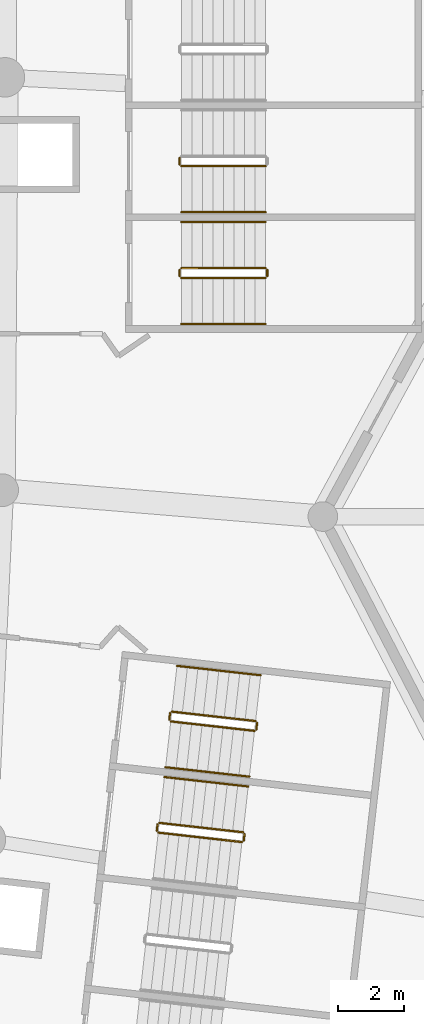
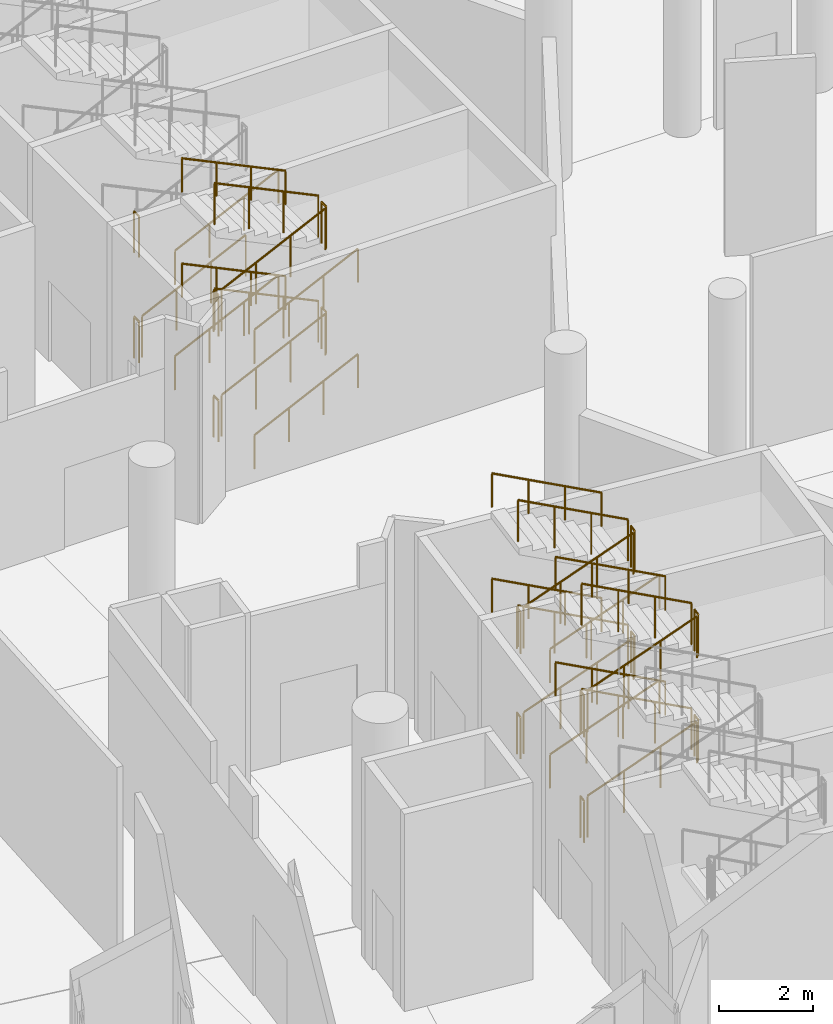
# One storey, part 245 of 271: 39 railings.
"""IFC4 building model written with IfcOpenShell, lengths in metres."""

from ifc_helpers import new_model, si_unit, direction, frame, origin, origin_2d, place, context, subcontext, project, spatial, circle, extrude, material, type_object, element, save


model = new_model("IFC4")

# Units and contexts
model_context = context("Model", 3, precision=1e-05, world=origin(), true_north=direction((0.0, 1.0)))
body_context = subcontext(model_context, "Body", "Model", "MODEL_VIEW")
ifc_project = project(units=[si_unit("LENGTHUNIT", "METRE"), si_unit("AREAUNIT", "SQUARE_METRE"), si_unit("VOLUMEUNIT", "CUBIC_METRE"), si_unit("PLANEANGLEUNIT", "RADIAN"), si_unit("MASSUNIT", "GRAM", prefix="KILO")], contexts=[model_context])

# Site, building, storey
site_placement = place(None, origin())
site = spatial("IfcSite", under=ifc_project, at=site_placement, CompositionType="ELEMENT")
building_placement = place(site_placement, origin())
building = spatial("IfcBuilding", under=site, at=building_placement, Name="Meseta Stadium", CompositionType="ELEMENT")
storey_placement = place(building_placement, frame((0.0, 0.0, 6.5)))
storey = spatial("IfcBuildingStorey", under=building, at=storey_placement, Name="L01", CompositionType="ELEMENT", Elevation=6.5)

# Railings
ifc_material_1 = material(Name="Steel S355", Category="steel")
railing_type_1 = type_object("IfcRailingType", Name="Stair guard 1100", PredefinedType="GUARDRAIL", material=ifc_material_1)
railing_1_placement = place(storey_placement, frame((89.598876953125, -53.3525390625, 0.15283203125)))
element("IfcRailing", 1, at=railing_1_placement, inside=storey, type_object=railing_type_1, Name="ST3 L01 guard 1", PredefinedType="GUARDRAIL", context=body_context, shape_type="SweptSolid", body=[
    extrude(circle(Radius=0.02392578125, at=origin_2d()), frame((0.0, 0.0, 1.076171875), z_axis=(0.896745093794, -0.101044125167, 0.43085765808), x_axis=(0.111970187058, 0.993711566407, 0.0)), (0.0, 0.0, 1.0), 2.836669921875),
    extrude(circle(Radius=0.02099609375, at=origin_2d()), origin(), (0.0, 0.0, 1.0), 1.052001953125),
    extrude(circle(Radius=0.02099609375, at=origin_2d()), frame((0.847900390625, -0.095458984375, 0.407470703125)), (0.0, 0.0, 1.0), 1.052001953125),
    extrude(circle(Radius=0.02099609375, at=origin_2d()), frame((1.69580078125, -0.191162109375, 0.814697265625)), (0.0, 0.0, 1.0), 1.052001953125),
    extrude(circle(Radius=0.02099609375, at=origin_2d()), frame((2.543701171875, -0.28662109375, 1.22216796875)), (0.0, 0.0, 1.0), 1.052001953125),
])
railing_2_placement = place(storey_placement, frame((92.197998046875, -53.59521484375, 1.375)))
element("IfcRailing", 2, at=railing_2_placement, inside=storey, type_object=railing_type_1, Name="ST3 L01 guard 2", PredefinedType="GUARDRAIL", context=body_context, shape_type="SweptSolid", body=[
    extrude(circle(Radius=0.02392578125, at=origin_2d()), frame((0.0, 0.0, 1.076171875), z_axis=(0.112307083986, 0.993673547442, 0.0), x_axis=(-0.993673547442, 0.112307083986, 0.0)), (0.0, 0.0, 1.0), 0.199951171875),
    extrude(circle(Radius=0.02099609375, at=origin_2d()), origin(), (0.0, 0.0, 1.0), 1.052001953125),
    extrude(circle(Radius=0.02099609375, at=origin_2d()), frame((0.0224609375, 0.19873046875, 0.0)), (0.0, 0.0, 1.0), 1.052001953125),
])
railing_3_placement = place(storey_placement, frame((92.17626953125, -53.341064453125, 1.52783203125)))
element("IfcRailing", 3, at=railing_3_placement, inside=storey, type_object=railing_type_1, Name="ST3 L01 guard 3", PredefinedType="GUARDRAIL", context=body_context, shape_type="SweptSolid", body=[
    extrude(circle(Radius=0.02392578125, at=origin_2d()), frame((0.0, 0.0, 1.076171875), z_axis=(-0.896761948158, 0.101036326981, 0.430824406188), x_axis=(-0.111959576062, -0.993712761983, 0.0)), (0.0, 0.0, 1.0), 2.8369140625),
    extrude(circle(Radius=0.02099609375, at=origin_2d()), origin(), (0.0, 0.0, 1.0), 1.052001953125),
    extrude(circle(Radius=0.02099609375, at=origin_2d()), frame((-0.847900390625, 0.095458984375, 0.407470703125)), (0.0, 0.0, 1.0), 1.052001953125),
    extrude(circle(Radius=0.02099609375, at=origin_2d()), frame((-1.696044921875, 0.191162109375, 0.814697265625)), (0.0, 0.0, 1.0), 1.052001953125),
    extrude(circle(Radius=0.02099609375, at=origin_2d()), frame((-2.5439453125, 0.28662109375, 1.22216796875)), (0.0, 0.0, 1.0), 1.052001953125),
])
railing_4_placement = place(storey_placement, frame((89.5546875, -53.29736328125, 2.75)))
element("IfcRailing", 4, at=railing_4_placement, inside=storey, type_object=railing_type_1, Name="ST3 L01 guard 4", PredefinedType="GUARDRAIL", context=body_context, shape_type="SweptSolid", body=[
    extrude(circle(Radius=0.02392578125, at=origin_2d()), frame((0.0, 0.0, 1.076171875), z_axis=(0.112307083986, 0.993673547442, 0.0), x_axis=(-0.993673547442, 0.112307083986, 0.0)), (0.0, 0.0, 1.0), 0.199951171875),
    extrude(circle(Radius=0.02099609375, at=origin_2d()), origin(), (0.0, 0.0, 1.0), 1.052001953125),
    extrude(circle(Radius=0.02099609375, at=origin_2d()), frame((0.0224609375, 0.19873046875, 0.0)), (0.0, 0.0, 1.0), 1.052001953125),
])
railing_5_placement = place(storey_placement, frame((89.598876953125, -53.3525390625, 2.90283203125)))
element("IfcRailing", 5, at=railing_5_placement, inside=storey, type_object=railing_type_1, Name="ST3 L01 guard 5", PredefinedType="GUARDRAIL", context=body_context, shape_type="SweptSolid", body=[
    extrude(circle(Radius=0.02392578125, at=origin_2d()), frame((0.0, 0.0, 1.076171875), z_axis=(0.896745093794, -0.101044125167, 0.43085765808), x_axis=(0.111970187058, 0.993711566407, 0.0)), (0.0, 0.0, 1.0), 2.836669921875),
    extrude(circle(Radius=0.02099609375, at=origin_2d()), origin(), (0.0, 0.0, 1.0), 1.052001953125),
    extrude(circle(Radius=0.02099609375, at=origin_2d()), frame((0.847900390625, -0.095458984375, 0.407470703125)), (0.0, 0.0, 1.0), 1.052001953125),
    extrude(circle(Radius=0.02099609375, at=origin_2d()), frame((1.69580078125, -0.191162109375, 0.814697265625)), (0.0, 0.0, 1.0), 1.052001953125),
    extrude(circle(Radius=0.02099609375, at=origin_2d()), frame((2.543701171875, -0.28662109375, 1.22216796875)), (0.0, 0.0, 1.0), 1.052001953125),
])
railing_6_placement = place(storey_placement, frame((92.197998046875, -53.59521484375, 4.125)))
element("IfcRailing", 6, at=railing_6_placement, inside=storey, type_object=railing_type_1, Name="ST3 L01 guard 6", PredefinedType="GUARDRAIL", context=body_context, shape_type="SweptSolid", body=[
    extrude(circle(Radius=0.02392578125, at=origin_2d()), frame((0.0, 0.0, 1.076171875), z_axis=(0.112307083986, 0.993673547442, 0.0), x_axis=(-0.993673547442, 0.112307083986, 0.0)), (0.0, 0.0, 1.0), 0.199951171875),
    extrude(circle(Radius=0.02099609375, at=origin_2d()), origin(), (0.0, 0.0, 1.0), 1.052001953125),
    extrude(circle(Radius=0.02099609375, at=origin_2d()), frame((0.0224609375, 0.19873046875, 0.0)), (0.0, 0.0, 1.0), 1.052001953125),
])
railing_7_placement = place(storey_placement, frame((92.17626953125, -53.341064453125, 4.27783203125)))
element("IfcRailing", 7, at=railing_7_placement, inside=storey, type_object=railing_type_1, Name="ST3 L01 guard 7", PredefinedType="GUARDRAIL", context=body_context, shape_type="SweptSolid", body=[
    extrude(circle(Radius=0.02392578125, at=origin_2d()), frame((0.0, 0.0, 1.076171875), z_axis=(-0.896761948158, 0.101036326981, 0.430824406188), x_axis=(-0.111959576062, -0.993712761983, 0.0)), (0.0, 0.0, 1.0), 2.8369140625),
    extrude(circle(Radius=0.02099609375, at=origin_2d()), origin(), (0.0, 0.0, 1.0), 1.052001953125),
    extrude(circle(Radius=0.02099609375, at=origin_2d()), frame((-0.847900390625, 0.095458984375, 0.407470703125)), (0.0, 0.0, 1.0), 1.052001953125),
    extrude(circle(Radius=0.02099609375, at=origin_2d()), frame((-1.696044921875, 0.191162109375, 0.814697265625)), (0.0, 0.0, 1.0), 1.052001953125),
    extrude(circle(Radius=0.02099609375, at=origin_2d()), frame((-2.5439453125, 0.28662109375, 1.22216796875)), (0.0, 0.0, 1.0), 1.052001953125),
])
railing_8_placement = place(storey_placement, frame((89.5546875, -53.29736328125, 0.0)))
element("IfcRailing", 8, at=railing_8_placement, inside=storey, type_object=railing_type_1, Name="ST3 L01 guard 8", PredefinedType="GUARDRAIL", context=body_context, shape_type="SweptSolid", body=[
    extrude(circle(Radius=0.02392578125, at=origin_2d()), frame((0.0, 0.0, 1.076171875), z_axis=(0.112307083986, 0.993673547442, 0.0), x_axis=(-0.993673547442, 0.112307083986, 0.0)), (0.0, 0.0, 1.0), 0.199951171875),
    extrude(circle(Radius=0.02099609375, at=origin_2d()), origin(), (0.0, 0.0, 1.0), 1.052001953125),
    extrude(circle(Radius=0.02099609375, at=origin_2d()), frame((0.0224609375, 0.19873046875, 0.0)), (0.0, 0.0, 1.0), 1.052001953125),
])
railing_9_placement = place(storey_placement, frame((89.9794921875, -49.973876953125, 0.15283203125)))
element("IfcRailing", 9, at=railing_9_placement, inside=storey, type_object=railing_type_1, Name="ST4 L01 guard 1", PredefinedType="GUARDRAIL", context=body_context, shape_type="SweptSolid", body=[
    extrude(circle(Radius=0.02392578125, at=origin_2d()), frame((0.0, 0.0, 1.076171875), z_axis=(0.896761948158, -0.101036326981, 0.430824406188), x_axis=(0.111959576062, 0.993712761983, 0.0)), (0.0, 0.0, 1.0), 2.8369140625),
    extrude(circle(Radius=0.02099609375, at=origin_2d()), origin(), (0.0, 0.0, 1.0), 1.052001953125),
    extrude(circle(Radius=0.02099609375, at=origin_2d()), frame((0.847900390625, -0.095458984375, 0.407470703125)), (0.0, 0.0, 1.0), 1.052001953125),
    extrude(circle(Radius=0.02099609375, at=origin_2d()), frame((1.696044921875, -0.191162109375, 0.814697265625)), (0.0, 0.0, 1.0), 1.052001953125),
    extrude(circle(Radius=0.02099609375, at=origin_2d()), frame((2.5439453125, -0.28662109375, 1.22216796875)), (0.0, 0.0, 1.0), 1.052001953125),
])
railing_10_placement = place(storey_placement, frame((92.57861328125, -50.216552734375, 1.375)))
element("IfcRailing", 10, at=railing_10_placement, inside=storey, type_object=railing_type_1, Name="ST4 L01 guard 2", PredefinedType="GUARDRAIL", context=body_context, shape_type="SweptSolid", body=[
    extrude(circle(Radius=0.02392578125, at=origin_2d()), frame((0.0, 0.0, 1.076171875), z_axis=(0.112307083986, 0.993673547442, 0.0), x_axis=(-0.993673547442, 0.112307083986, 0.0)), (0.0, 0.0, 1.0), 0.199951171875),
    extrude(circle(Radius=0.02099609375, at=origin_2d()), origin(), (0.0, 0.0, 1.0), 1.052001953125),
    extrude(circle(Radius=0.02099609375, at=origin_2d()), frame((0.0224609375, 0.19873046875, 0.0)), (0.0, 0.0, 1.0), 1.052001953125),
])
railing_11_placement = place(storey_placement, frame((92.556884765625, -49.96240234375, 1.52783203125)))
element("IfcRailing", 11, at=railing_11_placement, inside=storey, type_object=railing_type_1, Name="ST4 L01 guard 3", PredefinedType="GUARDRAIL", context=body_context, shape_type="SweptSolid", body=[
    extrude(circle(Radius=0.02392578125, at=origin_2d()), frame((0.0, 0.0, 1.076171875), z_axis=(-0.896761948158, 0.101036326981, 0.430824406188), x_axis=(-0.111959576062, -0.993712761983, 0.0)), (0.0, 0.0, 1.0), 2.8369140625),
    extrude(circle(Radius=0.02099609375, at=origin_2d()), origin(), (0.0, 0.0, 1.0), 1.052001953125),
    extrude(circle(Radius=0.02099609375, at=origin_2d()), frame((-0.847900390625, 0.095458984375, 0.407470703125)), (0.0, 0.0, 1.0), 1.052001953125),
    extrude(circle(Radius=0.02099609375, at=origin_2d()), frame((-1.696044921875, 0.191162109375, 0.814697265625)), (0.0, 0.0, 1.0), 1.052001953125),
    extrude(circle(Radius=0.02099609375, at=origin_2d()), frame((-2.5439453125, 0.28662109375, 1.22216796875)), (0.0, 0.0, 1.0), 1.052001953125),
])
railing_12_placement = place(storey_placement, frame((89.935302734375, -49.918701171875, 2.75)))
element("IfcRailing", 12, at=railing_12_placement, inside=storey, type_object=railing_type_1, Name="ST4 L01 guard 4", PredefinedType="GUARDRAIL", context=body_context, shape_type="SweptSolid", body=[
    extrude(circle(Radius=0.02392578125, at=origin_2d()), frame((0.0, 0.0, 1.076171875), z_axis=(0.112307083986, 0.993673547442, 0.0), x_axis=(-0.993673547442, 0.112307083986, 0.0)), (0.0, 0.0, 1.0), 0.199951171875),
    extrude(circle(Radius=0.02099609375, at=origin_2d()), origin(), (0.0, 0.0, 1.0), 1.052001953125),
    extrude(circle(Radius=0.02099609375, at=origin_2d()), frame((0.0224609375, 0.19873046875, 0.0)), (0.0, 0.0, 1.0), 1.052001953125),
])
railing_13_placement = place(storey_placement, frame((89.9794921875, -49.973876953125, 2.90283203125)))
element("IfcRailing", 13, at=railing_13_placement, inside=storey, type_object=railing_type_1, Name="ST4 L01 guard 5", PredefinedType="GUARDRAIL", context=body_context, shape_type="SweptSolid", body=[
    extrude(circle(Radius=0.02392578125, at=origin_2d()), frame((0.0, 0.0, 1.076171875), z_axis=(0.896761948158, -0.101036326981, 0.430824406188), x_axis=(0.111959576062, 0.993712761983, 0.0)), (0.0, 0.0, 1.0), 2.8369140625),
    extrude(circle(Radius=0.02099609375, at=origin_2d()), origin(), (0.0, 0.0, 1.0), 1.052001953125),
    extrude(circle(Radius=0.02099609375, at=origin_2d()), frame((0.847900390625, -0.095458984375, 0.407470703125)), (0.0, 0.0, 1.0), 1.052001953125),
    extrude(circle(Radius=0.02099609375, at=origin_2d()), frame((1.696044921875, -0.191162109375, 0.814697265625)), (0.0, 0.0, 1.0), 1.052001953125),
    extrude(circle(Radius=0.02099609375, at=origin_2d()), frame((2.5439453125, -0.28662109375, 1.22216796875)), (0.0, 0.0, 1.0), 1.052001953125),
])
railing_14_placement = place(storey_placement, frame((92.57861328125, -50.216552734375, 4.125)))
element("IfcRailing", 14, at=railing_14_placement, inside=storey, type_object=railing_type_1, Name="ST4 L01 guard 6", PredefinedType="GUARDRAIL", context=body_context, shape_type="SweptSolid", body=[
    extrude(circle(Radius=0.02392578125, at=origin_2d()), frame((0.0, 0.0, 1.076171875), z_axis=(0.112307083986, 0.993673547442, 0.0), x_axis=(-0.993673547442, 0.112307083986, 0.0)), (0.0, 0.0, 1.0), 0.199951171875),
    extrude(circle(Radius=0.02099609375, at=origin_2d()), origin(), (0.0, 0.0, 1.0), 1.052001953125),
    extrude(circle(Radius=0.02099609375, at=origin_2d()), frame((0.0224609375, 0.19873046875, 0.0)), (0.0, 0.0, 1.0), 1.052001953125),
])
railing_15_placement = place(storey_placement, frame((92.556884765625, -49.96240234375, 4.27783203125)))
element("IfcRailing", 15, at=railing_15_placement, inside=storey, type_object=railing_type_1, Name="ST4 L01 guard 7", PredefinedType="GUARDRAIL", context=body_context, shape_type="SweptSolid", body=[
    extrude(circle(Radius=0.02392578125, at=origin_2d()), frame((0.0, 0.0, 1.076171875), z_axis=(-0.896761948158, 0.101036326981, 0.430824406188), x_axis=(-0.111959576062, -0.993712761983, 0.0)), (0.0, 0.0, 1.0), 2.8369140625),
    extrude(circle(Radius=0.02099609375, at=origin_2d()), origin(), (0.0, 0.0, 1.0), 1.052001953125),
    extrude(circle(Radius=0.02099609375, at=origin_2d()), frame((-0.847900390625, 0.095458984375, 0.407470703125)), (0.0, 0.0, 1.0), 1.052001953125),
    extrude(circle(Radius=0.02099609375, at=origin_2d()), frame((-1.696044921875, 0.191162109375, 0.814697265625)), (0.0, 0.0, 1.0), 1.052001953125),
    extrude(circle(Radius=0.02099609375, at=origin_2d()), frame((-2.5439453125, 0.28662109375, 1.22216796875)), (0.0, 0.0, 1.0), 1.052001953125),
])
railing_16_placement = place(storey_placement, frame((89.935302734375, -49.918701171875, 0.0)))
element("IfcRailing", 16, at=railing_16_placement, inside=storey, type_object=railing_type_1, Name="ST4 L01 guard 8", PredefinedType="GUARDRAIL", context=body_context, shape_type="SweptSolid", body=[
    extrude(circle(Radius=0.02392578125, at=origin_2d()), frame((0.0, 0.0, 1.076171875), z_axis=(0.112307083986, 0.993673547442, 0.0), x_axis=(-0.993673547442, 0.112307083986, 0.0)), (0.0, 0.0, 1.0), 0.199951171875),
    extrude(circle(Radius=0.02099609375, at=origin_2d()), origin(), (0.0, 0.0, 1.0), 1.052001953125),
    extrude(circle(Radius=0.02099609375, at=origin_2d()), frame((0.0224609375, 0.19873046875, 0.0)), (0.0, 0.0, 1.0), 1.052001953125),
])
railing_17_placement = place(storey_placement, frame((90.300048828125, -36.5, 0.15283203125)))
element("IfcRailing", 17, at=railing_17_placement, inside=storey, type_object=railing_type_1, Name="ST5 L01 guard 1", PredefinedType="GUARDRAIL", context=body_context, shape_type="SweptSolid", body=[
    extrude(circle(Radius=0.02392578125, at=origin_2d()), frame((0.0, 0.0, 1.076171875), z_axis=(0.902436934422, 0.0, 0.430821981091), x_axis=(0.0, 1.0, 0.0)), (0.0, 0.0, 1.0), 2.8369140625),
    extrude(circle(Radius=0.02099609375, at=origin_2d()), origin(), (0.0, 0.0, 1.0), 1.052001953125),
    extrude(circle(Radius=0.02099609375, at=origin_2d()), frame((0.853271484375, 0.0, 0.407470703125)), (0.0, 0.0, 1.0), 1.052001953125),
    extrude(circle(Radius=0.02099609375, at=origin_2d()), frame((1.706787109375, 0.0, 0.814697265625)), (0.0, 0.0, 1.0), 1.052001953125),
    extrude(circle(Radius=0.02099609375, at=origin_2d()), frame((2.56005859375, 0.0, 1.22216796875)), (0.0, 0.0, 1.0), 1.052001953125),
])
railing_18_placement = place(storey_placement, frame((92.909912109375, -36.449951171875, 1.375)))
element("IfcRailing", 18, at=railing_18_placement, inside=storey, type_object=railing_type_1, Name="ST5 L01 guard 2", PredefinedType="GUARDRAIL", context=body_context, shape_type="SweptSolid", body=[
    extrude(circle(Radius=0.02392578125, at=origin_2d()), frame((0.0, 0.0, 1.076171875), z_axis=(0.0, 1.0, 0.0), x_axis=(-1.0, 0.0, 0.0)), (0.0, 0.0, 1.0), 0.199951171875),
    extrude(circle(Radius=0.02099609375, at=origin_2d()), origin(), (0.0, 0.0, 1.0), 1.052001953125),
    extrude(circle(Radius=0.02099609375, at=origin_2d()), frame((0.0, 0.199951171875, 0.0)), (0.0, 0.0, 1.0), 1.052001953125),
])
railing_19_placement = place(storey_placement, frame((92.860107421875, -36.199951171875, 1.52783203125)))
element("IfcRailing", 19, at=railing_19_placement, inside=storey, type_object=railing_type_1, Name="ST5 L01 guard 3", PredefinedType="GUARDRAIL", context=body_context, shape_type="SweptSolid", body=[
    extrude(circle(Radius=0.02392578125, at=origin_2d()), frame((0.0, 0.0, 1.076171875), z_axis=(-0.902436934422, 0.0, 0.430821981091), x_axis=(0.0, -1.0, 0.0)), (0.0, 0.0, 1.0), 2.8369140625),
    extrude(circle(Radius=0.02099609375, at=origin_2d()), origin(), (0.0, 0.0, 1.0), 1.052001953125),
    extrude(circle(Radius=0.02099609375, at=origin_2d()), frame((-0.853271484375, 0.0, 0.407470703125)), (0.0, 0.0, 1.0), 1.052001953125),
    extrude(circle(Radius=0.02099609375, at=origin_2d()), frame((-1.706787109375, 0.0, 0.814697265625)), (0.0, 0.0, 1.0), 1.052001953125),
    extrude(circle(Radius=0.02099609375, at=origin_2d()), frame((-2.56005859375, 0.0, 1.22216796875)), (0.0, 0.0, 1.0), 1.052001953125),
])
railing_20_placement = place(storey_placement, frame((90.25, -36.449951171875, 2.75)))
element("IfcRailing", 20, at=railing_20_placement, inside=storey, type_object=railing_type_1, Name="ST5 L01 guard 4", PredefinedType="GUARDRAIL", context=body_context, shape_type="SweptSolid", body=[
    extrude(circle(Radius=0.02392578125, at=origin_2d()), frame((0.0, 0.0, 1.076171875), z_axis=(0.0, 1.0, 0.0), x_axis=(-1.0, 0.0, 0.0)), (0.0, 0.0, 1.0), 0.199951171875),
    extrude(circle(Radius=0.02099609375, at=origin_2d()), origin(), (0.0, 0.0, 1.0), 1.052001953125),
    extrude(circle(Radius=0.02099609375, at=origin_2d()), frame((0.0, 0.199951171875, 0.0)), (0.0, 0.0, 1.0), 1.052001953125),
])
railing_21_placement = place(storey_placement, frame((90.300048828125, -36.5, 2.90283203125)))
element("IfcRailing", 21, at=railing_21_placement, inside=storey, type_object=railing_type_1, Name="ST5 L01 guard 5", PredefinedType="GUARDRAIL", context=body_context, shape_type="SweptSolid", body=[
    extrude(circle(Radius=0.02392578125, at=origin_2d()), frame((0.0, 0.0, 1.076171875), z_axis=(0.902436934422, 0.0, 0.430821981091), x_axis=(0.0, 1.0, 0.0)), (0.0, 0.0, 1.0), 2.8369140625),
    extrude(circle(Radius=0.02099609375, at=origin_2d()), origin(), (0.0, 0.0, 1.0), 1.052001953125),
    extrude(circle(Radius=0.02099609375, at=origin_2d()), frame((0.853271484375, 0.0, 0.407470703125)), (0.0, 0.0, 1.0), 1.052001953125),
    extrude(circle(Radius=0.02099609375, at=origin_2d()), frame((1.706787109375, 0.0, 0.814697265625)), (0.0, 0.0, 1.0), 1.052001953125),
    extrude(circle(Radius=0.02099609375, at=origin_2d()), frame((2.56005859375, 0.0, 1.22216796875)), (0.0, 0.0, 1.0), 1.052001953125),
])
railing_22_placement = place(storey_placement, frame((92.909912109375, -36.449951171875, 4.125)))
element("IfcRailing", 22, at=railing_22_placement, inside=storey, type_object=railing_type_1, Name="ST5 L01 guard 6", PredefinedType="GUARDRAIL", context=body_context, shape_type="SweptSolid", body=[
    extrude(circle(Radius=0.02392578125, at=origin_2d()), frame((0.0, 0.0, 1.076171875), z_axis=(0.0, 1.0, 0.0), x_axis=(-1.0, 0.0, 0.0)), (0.0, 0.0, 1.0), 0.199951171875),
    extrude(circle(Radius=0.02099609375, at=origin_2d()), origin(), (0.0, 0.0, 1.0), 1.052001953125),
    extrude(circle(Radius=0.02099609375, at=origin_2d()), frame((0.0, 0.199951171875, 0.0)), (0.0, 0.0, 1.0), 1.052001953125),
])
railing_23_placement = place(storey_placement, frame((92.860107421875, -36.199951171875, 4.27783203125)))
element("IfcRailing", 23, at=railing_23_placement, inside=storey, type_object=railing_type_1, Name="ST5 L01 guard 7", PredefinedType="GUARDRAIL", context=body_context, shape_type="SweptSolid", body=[
    extrude(circle(Radius=0.02392578125, at=origin_2d()), frame((0.0, 0.0, 1.076171875), z_axis=(-0.902436934422, 0.0, 0.430821981091), x_axis=(0.0, -1.0, 0.0)), (0.0, 0.0, 1.0), 2.8369140625),
    extrude(circle(Radius=0.02099609375, at=origin_2d()), origin(), (0.0, 0.0, 1.0), 1.052001953125),
    extrude(circle(Radius=0.02099609375, at=origin_2d()), frame((-0.853271484375, 0.0, 0.407470703125)), (0.0, 0.0, 1.0), 1.052001953125),
    extrude(circle(Radius=0.02099609375, at=origin_2d()), frame((-1.706787109375, 0.0, 0.814697265625)), (0.0, 0.0, 1.0), 1.052001953125),
    extrude(circle(Radius=0.02099609375, at=origin_2d()), frame((-2.56005859375, 0.0, 1.22216796875)), (0.0, 0.0, 1.0), 1.052001953125),
])
railing_24_placement = place(storey_placement, frame((90.25, -36.449951171875, 0.0)))
element("IfcRailing", 24, at=railing_24_placement, inside=storey, type_object=railing_type_1, Name="ST5 L01 guard 8", PredefinedType="GUARDRAIL", context=body_context, shape_type="SweptSolid", body=[
    extrude(circle(Radius=0.02392578125, at=origin_2d()), frame((0.0, 0.0, 1.076171875), z_axis=(0.0, 1.0, 0.0), x_axis=(-1.0, 0.0, 0.0)), (0.0, 0.0, 1.0), 0.199951171875),
    extrude(circle(Radius=0.02099609375, at=origin_2d()), origin(), (0.0, 0.0, 1.0), 1.052001953125),
    extrude(circle(Radius=0.02099609375, at=origin_2d()), frame((0.0, 0.199951171875, 0.0)), (0.0, 0.0, 1.0), 1.052001953125),
])
railing_25_placement = place(storey_placement, frame((90.300048828125, -33.10009765625, 0.15283203125)))
element("IfcRailing", 25, at=railing_25_placement, inside=storey, type_object=railing_type_1, Name="ST6 L01 guard 1", PredefinedType="GUARDRAIL", context=body_context, shape_type="SweptSolid", body=[
    extrude(circle(Radius=0.02392578125, at=origin_2d()), frame((0.0, 0.0, 1.076171875), z_axis=(0.902436934422, 0.0, 0.430821981091), x_axis=(0.0, 1.0, 0.0)), (0.0, 0.0, 1.0), 2.8369140625),
    extrude(circle(Radius=0.02099609375, at=origin_2d()), origin(), (0.0, 0.0, 1.0), 1.052001953125),
    extrude(circle(Radius=0.02099609375, at=origin_2d()), frame((0.853271484375, 0.0, 0.407470703125)), (0.0, 0.0, 1.0), 1.052001953125),
    extrude(circle(Radius=0.02099609375, at=origin_2d()), frame((1.706787109375, 0.0, 0.814697265625)), (0.0, 0.0, 1.0), 1.052001953125),
    extrude(circle(Radius=0.02099609375, at=origin_2d()), frame((2.56005859375, 0.0, 1.22216796875)), (0.0, 0.0, 1.0), 1.052001953125),
])
for number, where, name in (
    (26, (90.25, -33.050048828125, 2.75), "ST6 L01 guard 4"),
    (27, (90.25, -33.050048828125, 0.0), "ST6 L01 guard 8"),
):
    element("IfcRailing", number, at=place(storey_placement, frame(where)), inside=storey, type_object=railing_type_1, Name=name, PredefinedType="GUARDRAIL", context=body_context, shape_type="SweptSolid", body=[
        extrude(circle(Radius=0.02392578125, at=origin_2d()), frame((0.0, 0.0, 1.076171875), z_axis=(0.0, 1.0, 0.0), x_axis=(-1.0, 0.0, 0.0)), (0.0, 0.0, 1.0), 0.199951171875),
        extrude(circle(Radius=0.02099609375, at=origin_2d()), origin(), (0.0, 0.0, 1.0), 1.052001953125),
        extrude(circle(Radius=0.02099609375, at=origin_2d()), frame((0.0, 0.199951171875, 0.0)), (0.0, 0.0, 1.0), 1.052001953125),
    ])
ifc_material_2 = material(Name="Steel S355", Category="steel")
railing_type_2 = type_object("IfcRailingType", Name="Stair handrail 900", PredefinedType="HANDRAIL", material=ifc_material_2)
for number, where, name in (
    (28, (92.3330078125, -51.949951171875, 1.52783203125), "ST3 L01 handrail 2"),
    (29, (92.3330078125, -51.949951171875, 4.27783203125), "ST3 L01 handrail 4"),
):
    element("IfcRailing", number, at=place(storey_placement, frame(where)), inside=storey, type_object=railing_type_2, Name=name, PredefinedType="HANDRAIL", context=body_context, shape_type="SweptSolid", body=[
        extrude(circle(Radius=0.02392578125, at=origin_2d()), frame((0.0, 0.0, 0.8759765625), z_axis=(-0.896761948158, 0.101036326981, 0.430824406188), x_axis=(-0.111959576062, -0.993712761983, 0.0)), (0.0, 0.0, 1.0), 2.8369140625),
        extrude(circle(Radius=0.02099609375, at=origin_2d()), origin(), (0.0, 0.0, 1.0), 0.851806640625),
        extrude(circle(Radius=0.02099609375, at=origin_2d()), frame((-0.847900390625, 0.095458984375, 0.407470703125)), (0.0, 0.0, 1.0), 0.851806640625),
        extrude(circle(Radius=0.02099609375, at=origin_2d()), frame((-1.696044921875, 0.191162109375, 0.814697265625)), (0.0, 0.0, 1.0), 0.851806640625),
        extrude(circle(Radius=0.02099609375, at=origin_2d()), frame((-2.5439453125, 0.28662109375, 1.22216796875)), (0.0, 0.0, 1.0), 0.851806640625),
    ])
railing_26_placement = place(storey_placement, frame((89.82275390625, -51.365234375, 0.15283203125)))
element("IfcRailing", 30, at=railing_26_placement, inside=storey, type_object=railing_type_2, Name="ST4 L01 handrail 1", PredefinedType="HANDRAIL", context=body_context, shape_type="SweptSolid", body=[
    extrude(circle(Radius=0.02392578125, at=origin_2d()), frame((0.0, 0.0, 0.8759765625), z_axis=(0.896761948158, -0.101036326981, 0.430824406188), x_axis=(0.111959576062, 0.993712761983, 0.0)), (0.0, 0.0, 1.0), 2.8369140625),
    extrude(circle(Radius=0.02099609375, at=origin_2d()), origin(), (0.0, 0.0, 1.0), 0.851806640625),
    extrude(circle(Radius=0.02099609375, at=origin_2d()), frame((0.847900390625, -0.095458984375, 0.407470703125)), (0.0, 0.0, 1.0), 0.851806640625),
    extrude(circle(Radius=0.02099609375, at=origin_2d()), frame((1.696044921875, -0.191162109375, 0.814697265625)), (0.0, 0.0, 1.0), 0.851806640625),
    extrude(circle(Radius=0.02099609375, at=origin_2d()), frame((2.5439453125, -0.28662109375, 1.22216796875)), (0.0, 0.0, 1.0), 0.851806640625),
])
railing_27_placement = place(storey_placement, frame((92.713623046875, -48.5712890625, 1.52783203125)))
element("IfcRailing", 31, at=railing_27_placement, inside=storey, type_object=railing_type_2, Name="ST4 L01 handrail 2", PredefinedType="HANDRAIL", context=body_context, shape_type="SweptSolid", body=[
    extrude(circle(Radius=0.02392578125, at=origin_2d()), frame((0.0, 0.0, 0.8759765625), z_axis=(-0.896761948158, 0.101036326981, 0.430824406188), x_axis=(-0.111959576062, -0.993712761983, 0.0)), (0.0, 0.0, 1.0), 2.8369140625),
    extrude(circle(Radius=0.02099609375, at=origin_2d()), origin(), (0.0, 0.0, 1.0), 0.851806640625),
    extrude(circle(Radius=0.02099609375, at=origin_2d()), frame((-0.847900390625, 0.095458984375, 0.407470703125)), (0.0, 0.0, 1.0), 0.851806640625),
    extrude(circle(Radius=0.02099609375, at=origin_2d()), frame((-1.696044921875, 0.191162109375, 0.814697265625)), (0.0, 0.0, 1.0), 0.851806640625),
    extrude(circle(Radius=0.02099609375, at=origin_2d()), frame((-2.5439453125, 0.28662109375, 1.22216796875)), (0.0, 0.0, 1.0), 0.851806640625),
])
railing_28_placement = place(storey_placement, frame((89.82275390625, -51.365234375, 2.90283203125)))
element("IfcRailing", 32, at=railing_28_placement, inside=storey, type_object=railing_type_2, Name="ST4 L01 handrail 3", PredefinedType="HANDRAIL", context=body_context, shape_type="SweptSolid", body=[
    extrude(circle(Radius=0.02392578125, at=origin_2d()), frame((0.0, 0.0, 0.8759765625), z_axis=(0.896761948158, -0.101036326981, 0.430824406188), x_axis=(0.111959576062, 0.993712761983, 0.0)), (0.0, 0.0, 1.0), 2.8369140625),
    extrude(circle(Radius=0.02099609375, at=origin_2d()), origin(), (0.0, 0.0, 1.0), 0.851806640625),
    extrude(circle(Radius=0.02099609375, at=origin_2d()), frame((0.847900390625, -0.095458984375, 0.407470703125)), (0.0, 0.0, 1.0), 0.851806640625),
    extrude(circle(Radius=0.02099609375, at=origin_2d()), frame((1.696044921875, -0.191162109375, 0.814697265625)), (0.0, 0.0, 1.0), 0.851806640625),
    extrude(circle(Radius=0.02099609375, at=origin_2d()), frame((2.5439453125, -0.28662109375, 1.22216796875)), (0.0, 0.0, 1.0), 0.851806640625),
])
railing_29_placement = place(storey_placement, frame((92.713623046875, -48.5712890625, 4.27783203125)))
element("IfcRailing", 33, at=railing_29_placement, inside=storey, type_object=railing_type_2, Name="ST4 L01 handrail 4", PredefinedType="HANDRAIL", context=body_context, shape_type="SweptSolid", body=[
    extrude(circle(Radius=0.02392578125, at=origin_2d()), frame((0.0, 0.0, 0.8759765625), z_axis=(-0.896761948158, 0.101036326981, 0.430824406188), x_axis=(-0.111959576062, -0.993712761983, 0.0)), (0.0, 0.0, 1.0), 2.8369140625),
    extrude(circle(Radius=0.02099609375, at=origin_2d()), origin(), (0.0, 0.0, 1.0), 0.851806640625),
    extrude(circle(Radius=0.02099609375, at=origin_2d()), frame((-0.847900390625, 0.095458984375, 0.407470703125)), (0.0, 0.0, 1.0), 0.851806640625),
    extrude(circle(Radius=0.02099609375, at=origin_2d()), frame((-1.696044921875, 0.191162109375, 0.814697265625)), (0.0, 0.0, 1.0), 0.851806640625),
    extrude(circle(Radius=0.02099609375, at=origin_2d()), frame((-2.5439453125, 0.28662109375, 1.22216796875)), (0.0, 0.0, 1.0), 0.851806640625),
])
railing_30_placement = place(storey_placement, frame((90.300048828125, -37.89990234375, 0.15283203125)))
element("IfcRailing", 34, at=railing_30_placement, inside=storey, type_object=railing_type_2, Name="ST5 L01 handrail 1", PredefinedType="HANDRAIL", context=body_context, shape_type="SweptSolid", body=[
    extrude(circle(Radius=0.02392578125, at=origin_2d()), frame((0.0, 0.0, 0.8759765625), z_axis=(0.902436934422, 0.0, 0.430821981091), x_axis=(0.0, 1.0, 0.0)), (0.0, 0.0, 1.0), 2.8369140625),
    extrude(circle(Radius=0.02099609375, at=origin_2d()), origin(), (0.0, 0.0, 1.0), 0.851806640625),
    extrude(circle(Radius=0.02099609375, at=origin_2d()), frame((0.853271484375, 0.0, 0.407470703125)), (0.0, 0.0, 1.0), 0.851806640625),
    extrude(circle(Radius=0.02099609375, at=origin_2d()), frame((1.706787109375, 0.0, 0.814697265625)), (0.0, 0.0, 1.0), 0.851806640625),
    extrude(circle(Radius=0.02099609375, at=origin_2d()), frame((2.56005859375, 0.0, 1.22216796875)), (0.0, 0.0, 1.0), 0.851806640625),
])
railing_31_placement = place(storey_placement, frame((92.860107421875, -34.800048828125, 1.52783203125)))
element("IfcRailing", 35, at=railing_31_placement, inside=storey, type_object=railing_type_2, Name="ST5 L01 handrail 2", PredefinedType="HANDRAIL", context=body_context, shape_type="SweptSolid", body=[
    extrude(circle(Radius=0.02392578125, at=origin_2d()), frame((0.0, 0.0, 0.8759765625), z_axis=(-0.902436934422, 0.0, 0.430821981091), x_axis=(0.0, -1.0, 0.0)), (0.0, 0.0, 1.0), 2.8369140625),
    extrude(circle(Radius=0.02099609375, at=origin_2d()), origin(), (0.0, 0.0, 1.0), 0.851806640625),
    extrude(circle(Radius=0.02099609375, at=origin_2d()), frame((-0.853271484375, 0.0, 0.407470703125)), (0.0, 0.0, 1.0), 0.851806640625),
    extrude(circle(Radius=0.02099609375, at=origin_2d()), frame((-1.706787109375, 0.0, 0.814697265625)), (0.0, 0.0, 1.0), 0.851806640625),
    extrude(circle(Radius=0.02099609375, at=origin_2d()), frame((-2.56005859375, 0.0, 1.22216796875)), (0.0, 0.0, 1.0), 0.851806640625),
])
railing_32_placement = place(storey_placement, frame((90.300048828125, -37.89990234375, 2.90283203125)))
element("IfcRailing", 36, at=railing_32_placement, inside=storey, type_object=railing_type_2, Name="ST5 L01 handrail 3", PredefinedType="HANDRAIL", context=body_context, shape_type="SweptSolid", body=[
    extrude(circle(Radius=0.02392578125, at=origin_2d()), frame((0.0, 0.0, 0.8759765625), z_axis=(0.902436934422, 0.0, 0.430821981091), x_axis=(0.0, 1.0, 0.0)), (0.0, 0.0, 1.0), 2.8369140625),
    extrude(circle(Radius=0.02099609375, at=origin_2d()), origin(), (0.0, 0.0, 1.0), 0.851806640625),
    extrude(circle(Radius=0.02099609375, at=origin_2d()), frame((0.853271484375, 0.0, 0.407470703125)), (0.0, 0.0, 1.0), 0.851806640625),
    extrude(circle(Radius=0.02099609375, at=origin_2d()), frame((1.706787109375, 0.0, 0.814697265625)), (0.0, 0.0, 1.0), 0.851806640625),
    extrude(circle(Radius=0.02099609375, at=origin_2d()), frame((2.56005859375, 0.0, 1.22216796875)), (0.0, 0.0, 1.0), 0.851806640625),
])
railing_33_placement = place(storey_placement, frame((92.860107421875, -34.800048828125, 4.27783203125)))
element("IfcRailing", 37, at=railing_33_placement, inside=storey, type_object=railing_type_2, Name="ST5 L01 handrail 4", PredefinedType="HANDRAIL", context=body_context, shape_type="SweptSolid", body=[
    extrude(circle(Radius=0.02392578125, at=origin_2d()), frame((0.0, 0.0, 0.8759765625), z_axis=(-0.902436934422, 0.0, 0.430821981091), x_axis=(0.0, -1.0, 0.0)), (0.0, 0.0, 1.0), 2.8369140625),
    extrude(circle(Radius=0.02099609375, at=origin_2d()), origin(), (0.0, 0.0, 1.0), 0.851806640625),
    extrude(circle(Radius=0.02099609375, at=origin_2d()), frame((-0.853271484375, 0.0, 0.407470703125)), (0.0, 0.0, 1.0), 0.851806640625),
    extrude(circle(Radius=0.02099609375, at=origin_2d()), frame((-1.706787109375, 0.0, 0.814697265625)), (0.0, 0.0, 1.0), 0.851806640625),
    extrude(circle(Radius=0.02099609375, at=origin_2d()), frame((-2.56005859375, 0.0, 1.22216796875)), (0.0, 0.0, 1.0), 0.851806640625),
])
for number, where, name in (
    (38, (90.300048828125, -34.5, 0.15283203125), "ST6 L01 handrail 1"),
    (39, (90.300048828125, -34.5, 2.90283203125), "ST6 L01 handrail 3"),
):
    element("IfcRailing", number, at=place(storey_placement, frame(where)), inside=storey, type_object=railing_type_2, Name=name, PredefinedType="HANDRAIL", context=body_context, shape_type="SweptSolid", body=[
        extrude(circle(Radius=0.02392578125, at=origin_2d()), frame((0.0, 0.0, 0.8759765625), z_axis=(0.902436934422, 0.0, 0.430821981091), x_axis=(0.0, 1.0, 0.0)), (0.0, 0.0, 1.0), 2.8369140625),
        extrude(circle(Radius=0.02099609375, at=origin_2d()), origin(), (0.0, 0.0, 1.0), 0.851806640625),
        extrude(circle(Radius=0.02099609375, at=origin_2d()), frame((0.853271484375, 0.0, 0.407470703125)), (0.0, 0.0, 1.0), 0.851806640625),
        extrude(circle(Radius=0.02099609375, at=origin_2d()), frame((1.706787109375, 0.0, 0.814697265625)), (0.0, 0.0, 1.0), 0.851806640625),
        extrude(circle(Radius=0.02099609375, at=origin_2d()), frame((2.56005859375, 0.0, 1.22216796875)), (0.0, 0.0, 1.0), 0.851806640625),
    ])

save(model, "model.ifc")
